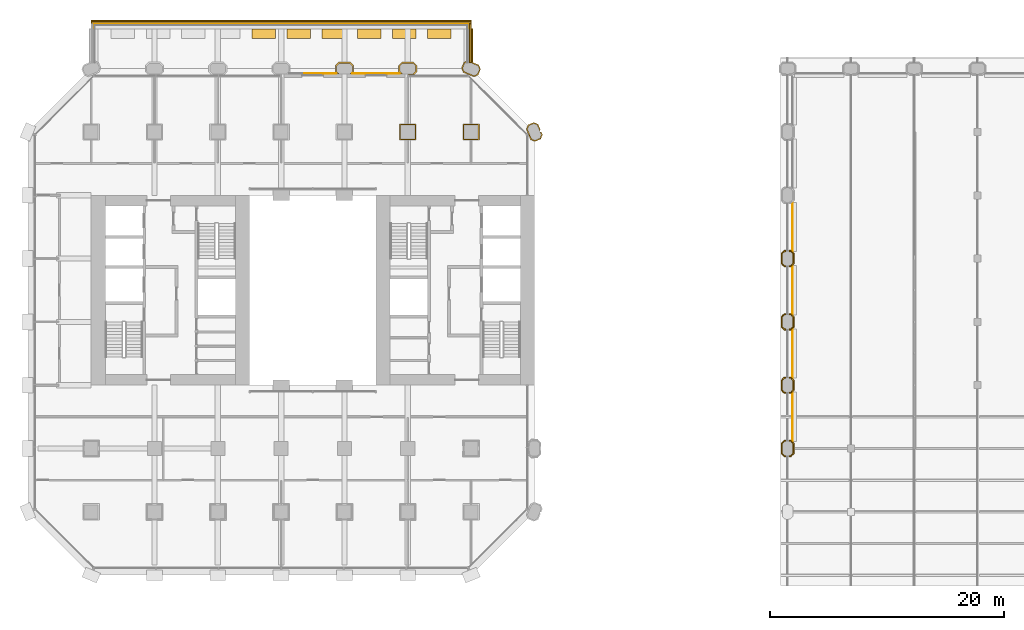
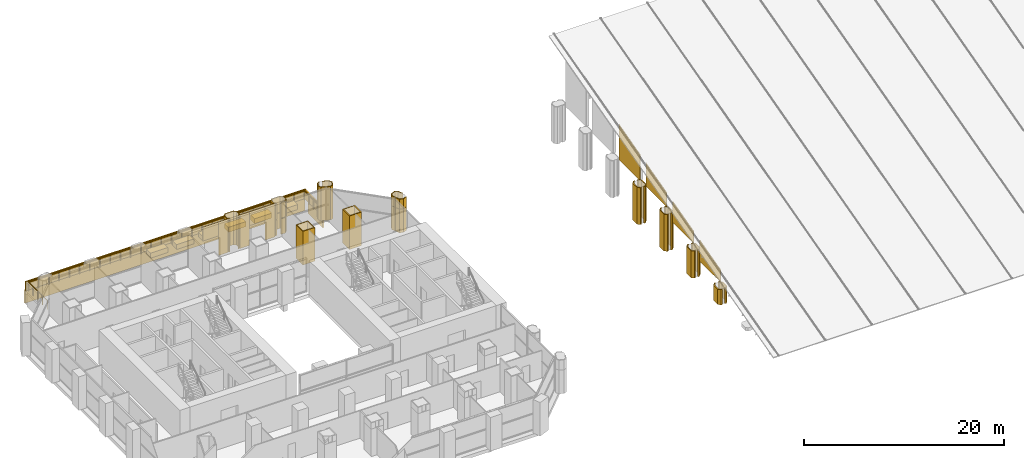
# One storey, part 21 of 23: 35 coverings, 1 railing.
"""IFC4 building model written with IfcOpenShell, lengths in metres."""

from ifc_helpers import new_model, si_unit, direction, frame, frame_2d, origin, origin_2d, place, context, subcontext, project, spatial, polyline, rectangle, circle, outline, extrude, material, layer, layer_set, type_object, element, save


model = new_model("IFC4")

# Units and contexts
model_context = context("Model", 3, precision=1e-05, world=origin(), true_north=direction((0.0, 1.0)))
body_context = subcontext(model_context, "Body", "Model", "MODEL_VIEW")
ifc_project = project(units=[si_unit("LENGTHUNIT", "METRE"), si_unit("AREAUNIT", "SQUARE_METRE"), si_unit("VOLUMEUNIT", "CUBIC_METRE"), si_unit("PLANEANGLEUNIT", "RADIAN"), si_unit("MASSUNIT", "GRAM", prefix="KILO")], contexts=[model_context])

# Site, building, storey
site_placement = place(None, origin())
site = spatial("IfcSite", under=ifc_project, at=site_placement, CompositionType="ELEMENT")
building_placement = place(site_placement, origin())
building = spatial("IfcBuilding", under=site, at=building_placement, Name="Tabaq Tower and Sports Hall", CompositionType="ELEMENT")
storey_placement = place(building_placement, frame((0.0, 0.0, 24.60009765625)))
storey = spatial("IfcBuildingStorey", under=building, at=storey_placement, Name="L04", CompositionType="ELEMENT", Elevation=24.60009765625)

# Coverings
ifc_material_1 = material(Name="Precast concrete C60/75", Category="concrete")
ifc_layer_1 = layer(ifc_material_1, 0.10009765625)
ifc_layer_set_1 = layer_set([ifc_layer_1], Name="Column cladding 100")
covering_type_1 = type_object("IfcCoveringType", Name="Column cladding 100", PredefinedType="CLADDING", material=ifc_layer_set_1)
covering_1_placement = place(storey_placement, origin())
element("IfcCovering", 1, at=covering_1_placement, inside=storey, type_object=covering_type_1, Name="Column cladding L04 HC-13C", PredefinedType="CLADDING", context=body_context, shape_type="SweptSolid", body=[
    extrude(outline(polyline([(64.5087890625, 10.100341796875), (64.250244140625, 10.358642578125), (64.250244140625, 11.2412109375), (64.5087890625, 11.499755859375), (64.64697265625, 11.499755859375), (64.64697265625, 11.400390625), (64.5498046875, 11.400390625), (64.349609375, 11.2001953125), (64.349609375, 10.39990234375), (64.5498046875, 10.19970703125), (64.64697265625, 10.19970703125), (64.64697265625, 10.100341796875), (64.5087890625, 10.100341796875)])), origin(), (0.0, 0.0, 1.0), 1.855224609375),
])
covering_2_placement = place(storey_placement, origin())
element("IfcCovering", 2, at=covering_2_placement, inside=storey, type_object=covering_type_1, Name="Column cladding L04 HC-13C 2", PredefinedType="CLADDING", context=body_context, shape_type="SweptSolid", body=[
    extrude(outline(polyline([(64.952880859375, 10.100341796875), (64.952880859375, 10.19970703125), (65.050048828125, 10.19970703125), (65.250244140625, 10.39990234375), (65.250244140625, 11.2001953125), (65.050048828125, 11.400390625), (64.952880859375, 11.400390625), (64.952880859375, 11.499755859375), (65.09130859375, 11.499755859375), (65.349609375, 11.2412109375), (65.349609375, 10.358642578125), (65.09130859375, 10.100341796875), (64.952880859375, 10.100341796875)])), origin(), (0.0, 0.0, 1.0), 1.855224609375),
])
covering_3_placement = place(storey_placement, origin())
element("IfcCovering", 3, at=covering_3_placement, inside=storey, type_object=covering_type_1, Name="Column cladding L04 HC-13D", PredefinedType="CLADDING", context=body_context, shape_type="SweptSolid", body=[
    extrude(outline(polyline([(64.5087890625, 15.500244140625), (64.250244140625, 15.7587890625), (64.250244140625, 16.641357421875), (64.5087890625, 16.899658203125), (64.64697265625, 16.899658203125), (64.64697265625, 16.80029296875), (64.5498046875, 16.80029296875), (64.349609375, 16.60009765625), (64.349609375, 15.7998046875), (64.5498046875, 15.599609375), (64.64697265625, 15.599609375), (64.64697265625, 15.500244140625), (64.5087890625, 15.500244140625)])), origin(), (0.0, 0.0, 1.0), 3.302001953125),
])
covering_4_placement = place(storey_placement, origin())
element("IfcCovering", 4, at=covering_4_placement, inside=storey, type_object=covering_type_1, Name="Column cladding L04 HC-13D 2", PredefinedType="CLADDING", context=body_context, shape_type="SweptSolid", body=[
    extrude(outline(polyline([(64.952880859375, 15.500244140625), (64.952880859375, 15.599609375), (65.050048828125, 15.599609375), (65.250244140625, 15.7998046875), (65.250244140625, 16.60009765625), (65.050048828125, 16.80029296875), (64.952880859375, 16.80029296875), (64.952880859375, 16.899658203125), (65.09130859375, 16.899658203125), (65.349609375, 16.641357421875), (65.349609375, 15.7587890625), (65.09130859375, 15.500244140625), (64.952880859375, 15.500244140625)])), origin(), (0.0, 0.0, 1.0), 3.302001953125),
])
covering_5_placement = place(storey_placement, origin())
element("IfcCovering", 5, at=covering_5_placement, inside=storey, type_object=covering_type_1, Name="Column cladding L04 HC-13E", PredefinedType="CLADDING", context=body_context, shape_type="SweptSolid", body=[
    extrude(outline(polyline([(64.5087890625, 20.900390625), (64.250244140625, 21.15869140625), (64.250244140625, 22.041259765625), (64.5087890625, 22.2998046875), (64.64697265625, 22.2998046875), (64.64697265625, 22.2001953125), (64.5498046875, 22.2001953125), (64.349609375, 22.000244140625), (64.349609375, 21.199951171875), (64.5498046875, 20.999755859375), (64.64697265625, 20.999755859375), (64.64697265625, 20.900390625), (64.5087890625, 20.900390625)])), origin(), (0.0, 0.0, 1.0), 4.5),
])
covering_6_placement = place(storey_placement, origin())
element("IfcCovering", 6, at=covering_6_placement, inside=storey, type_object=covering_type_1, Name="Column cladding L04 HC-13E 2", PredefinedType="CLADDING", context=body_context, shape_type="SweptSolid", body=[
    extrude(outline(polyline([(64.952880859375, 20.900390625), (64.952880859375, 20.999755859375), (65.050048828125, 20.999755859375), (65.250244140625, 21.199951171875), (65.250244140625, 22.000244140625), (65.050048828125, 22.2001953125), (64.952880859375, 22.2001953125), (64.952880859375, 22.2998046875), (65.09130859375, 22.2998046875), (65.349609375, 22.041259765625), (65.349609375, 21.15869140625), (65.09130859375, 20.900390625), (64.952880859375, 20.900390625)])), origin(), (0.0, 0.0, 1.0), 4.5),
])
covering_7_placement = place(storey_placement, origin())
element("IfcCovering", 7, at=covering_7_placement, inside=storey, type_object=covering_type_1, Name="Column cladding L04 HC-13F", PredefinedType="CLADDING", context=body_context, shape_type="SweptSolid", body=[
    extrude(outline(polyline([(64.952880859375, 26.30029296875), (64.952880859375, 26.399658203125), (65.050048828125, 26.399658203125), (65.250244140625, 26.599853515625), (65.250244140625, 27.400146484375), (65.050048828125, 27.600341796875), (64.952880859375, 27.600341796875), (64.952880859375, 27.69970703125), (65.09130859375, 27.69970703125), (65.349609375, 27.44140625), (65.349609375, 26.55859375), (65.09130859375, 26.30029296875), (64.952880859375, 26.30029296875)])), origin(), (0.0, 0.0, 1.0), 4.5),
])
covering_8_placement = place(storey_placement, origin())
element("IfcCovering", 8, at=covering_8_placement, inside=storey, type_object=covering_type_1, Name="Column cladding L04 HC-13F 2", PredefinedType="CLADDING", context=body_context, shape_type="SweptSolid", body=[
    extrude(outline(polyline([(64.5087890625, 26.30029296875), (64.250244140625, 26.55859375), (64.250244140625, 27.44140625), (64.5087890625, 27.69970703125), (64.64697265625, 27.69970703125), (64.64697265625, 27.600341796875), (64.5498046875, 27.600341796875), (64.349609375, 27.400146484375), (64.349609375, 26.599853515625), (64.5498046875, 26.399658203125), (64.64697265625, 26.399658203125), (64.64697265625, 26.30029296875), (64.5087890625, 26.30029296875)])), origin(), (0.0, 0.0, 1.0), 4.5),
])
covering_9_placement = place(storey_placement, origin())
element("IfcCovering", 9, at=covering_9_placement, inside=storey, type_object=covering_type_1, Name="Column cladding L04 PC-6I-P", PredefinedType="CLADDING", context=body_context, shape_type="SweptSolid", body=[
    extrude(outline(polyline([(26.225341796875, 43.46630859375), (26.5087890625, 43.749755859375), (27.4912109375, 43.749755859375), (27.774658203125, 43.46630859375), (27.774658203125, 42.93359375), (27.59130859375, 42.750244140625), (27.45068359375, 42.750244140625), (27.67529296875, 42.974853515625), (27.67529296875, 43.425048828125), (27.4501953125, 43.650390625), (26.5498046875, 43.650390625), (26.32470703125, 43.425048828125), (26.32470703125, 42.974853515625), (26.54931640625, 42.750244140625), (26.40869140625, 42.750244140625), (26.225341796875, 42.93359375), (26.225341796875, 43.46630859375)])), origin(), (0.0, 0.0, 1.0), 4.099853515625),
])
covering_10_placement = place(storey_placement, origin())
element("IfcCovering", 10, at=covering_10_placement, inside=storey, type_object=covering_type_1, Name="Column cladding L04 CC-7H-P", PredefinedType="CLADDING", context=body_context, shape_type="SweptSolid", body=[
    extrude(outline(polyline([(31.7001953125, 38.499755859375), (33.099609375, 38.499755859375), (33.099609375, 37.100341796875), (31.7001953125, 37.100341796875), (31.7001953125, 38.499755859375)]), holes=[polyline([(33.000244140625, 37.19970703125), (33.000244140625, 38.400390625), (31.7998046875, 38.400390625), (31.7998046875, 37.19970703125), (33.000244140625, 37.19970703125)])]), origin(), (0.0, 0.0, 1.0), 4.099853515625),
])
covering_11_placement = place(storey_placement, frame((0.0, 0.0, 0.102294921875)))
element("IfcCovering", 11, at=covering_11_placement, inside=storey, type_object=covering_type_1, Name="Column cladding L04 PC-7I-P", PredefinedType="CLADDING", context=body_context, shape_type="SweptSolid", body=[
    extrude(outline(polyline([(31.625244140625, 43.46630859375), (31.90869140625, 43.749755859375), (32.891357421875, 43.749755859375), (33.1748046875, 43.46630859375), (33.1748046875, 42.93359375), (32.931396484375, 42.690185546875), (32.400390625, 42.690185546875), (32.400390625, 42.749755859375), (32.85009765625, 42.749755859375), (33.0751953125, 42.974853515625), (33.0751953125, 43.425048828125), (32.85009765625, 43.650390625), (31.949951171875, 43.650390625), (31.724609375, 43.425048828125), (31.724609375, 42.974853515625), (31.94921875, 42.750244140625), (31.80859375, 42.750244140625), (31.625244140625, 42.93359375), (31.625244140625, 43.46630859375)])), origin(), (0.0, 0.0, 1.0), 1.9150390625),
])
covering_12_placement = place(storey_placement, frame((0.0, 0.0, 2.08251953125)))
element("IfcCovering", 12, at=covering_12_placement, inside=storey, type_object=covering_type_1, Name="Column cladding L04 PC-7I-P 2", PredefinedType="CLADDING", context=body_context, shape_type="SweptSolid", body=[
    extrude(outline(polyline([(31.625244140625, 43.46630859375), (31.90869140625, 43.749755859375), (32.891357421875, 43.749755859375), (33.1748046875, 43.46630859375), (33.1748046875, 42.93359375), (32.931396484375, 42.690185546875), (32.400390625, 42.690185546875), (32.400390625, 42.749755859375), (32.85009765625, 42.749755859375), (33.0751953125, 42.974853515625), (33.0751953125, 43.425048828125), (32.85009765625, 43.650390625), (31.949951171875, 43.650390625), (31.724609375, 43.425048828125), (31.724609375, 42.974853515625), (31.94921875, 42.750244140625), (31.80859375, 42.750244140625), (31.625244140625, 42.93359375), (31.625244140625, 43.46630859375)])), origin(), (0.0, 0.0, 1.0), 1.914794921875),
])
covering_13_placement = place(storey_placement, origin())
element("IfcCovering", 13, at=covering_13_placement, inside=storey, type_object=covering_type_1, Name="Column cladding L04 CC-8H-P", PredefinedType="CLADDING", context=body_context, shape_type="SweptSolid", body=[
    extrude(outline(polyline([(37.100341796875, 38.499755859375), (38.499755859375, 38.499755859375), (38.499755859375, 37.100341796875), (37.100341796875, 37.100341796875), (37.100341796875, 38.499755859375)]), holes=[polyline([(38.400390625, 37.19970703125), (38.400390625, 38.400390625), (37.19970703125, 38.400390625), (37.19970703125, 37.19970703125), (38.400390625, 37.19970703125)])]), origin(), (0.0, 0.0, 1.0), 4.099853515625),
])
covering_14_placement = place(storey_placement, origin())
element("IfcCovering", 14, at=covering_14_placement, inside=storey, type_object=covering_type_1, Name="Column cladding L04 PC-8I-P", PredefinedType="CLADDING", context=body_context, shape_type="SweptSolid", body=[
    extrude(outline(polyline([(38.413818359375, 42.657470703125), (38.04345703125, 42.504150390625), (37.614013671875, 42.68212890625), (37.614013671875, 42.690185546875), (37.593994140625, 42.690185546875), (37.1357421875, 42.880126953125), (36.982421875, 43.25048828125), (37.186279296875, 43.742431640625), (37.48974609375, 43.8681640625), (37.48974609375, 43.7607421875), (37.26220703125, 43.66650390625), (37.08984375, 43.25048828125), (37.2119140625, 42.956298828125), (38.04345703125, 42.61181640625), (38.337646484375, 42.733642578125), (38.510009765625, 43.149658203125), (38.38818359375, 43.44384765625), (37.770263671875, 43.69970703125), (37.80029296875, 43.69970703125), (37.80029296875, 43.794921875), (38.46435546875, 43.519775390625), (38.61767578125, 43.149658203125), (38.413818359375, 42.657470703125)])), origin(), (0.0, 0.0, 1.0), 4.099853515625),
])
covering_15_placement = place(storey_placement, origin())
element("IfcCovering", 15, at=covering_15_placement, inside=storey, type_object=covering_type_1, Name="Column cladding L04 PC-9H-P", PredefinedType="CLADDING", context=body_context, shape_type="SweptSolid", body=[
    extrude(outline(polyline([(43.25048828125, 36.982421875), (42.880126953125, 37.1357421875), (42.690185546875, 37.593994140625), (42.690185546875, 37.614013671875), (42.68212890625, 37.614013671875), (42.504150390625, 38.04345703125), (42.657470703125, 38.413818359375), (43.149658203125, 38.61767578125), (43.519775390625, 38.46435546875), (43.732177734375, 37.95166015625), (43.69677734375, 37.9501953125), (43.696533203125, 37.9501953125), (43.696533203125, 37.7998046875), (43.795166015625, 37.7998046875), (43.895751953125, 37.556396484375), (43.742431640625, 37.186279296875), (43.25048828125, 36.982421875)]), holes=[polyline([(43.149658203125, 38.510009765625), (42.733642578125, 38.337646484375), (42.61181640625, 38.04345703125), (42.956298828125, 37.2119140625), (43.25048828125, 37.08984375), (43.66650390625, 37.26220703125), (43.788330078125, 37.556396484375), (43.44384765625, 38.38818359375), (43.149658203125, 38.510009765625)])]), origin(), (0.0, 0.0, 1.0), 2.89990234375),
])
covering_16_placement = place(storey_placement, frame((0.0, 0.0, 2.89990234375)))
element("IfcCovering", 16, at=covering_16_placement, inside=storey, type_object=covering_type_1, Name="Column cladding L04 PC-9H-P head", PredefinedType="CLADDING", context=body_context, shape_type="SweptSolid", body=[
    extrude(outline(polyline([(42.880126953125, 37.1357421875), (42.690185546875, 37.593994140625), (42.690185546875, 37.614013671875), (42.68212890625, 37.614013671875), (42.504150390625, 38.04345703125), (42.657470703125, 38.413818359375), (43.149658203125, 38.61767578125), (43.519775390625, 38.46435546875), (43.732177734375, 37.95166015625), (43.69677734375, 37.9501953125), (43.696533203125, 37.9501953125), (43.696533203125, 37.80029296875), (43.687255859375, 37.80029296875), (43.44384765625, 38.38818359375), (43.149658203125, 38.510009765625), (42.733642578125, 38.337646484375), (42.61181640625, 38.04345703125), (42.956298828125, 37.2119140625), (43.25048828125, 37.08984375), (43.649658203125, 37.25537109375), (43.649658203125, 37.19970703125), (43.748046875, 37.19970703125), (43.742431640625, 37.186279296875), (43.25048828125, 36.982421875), (42.880126953125, 37.1357421875)])), origin(), (0.0, 0.0, 1.0), 1.199951171875),
])

# Railing
ifc_material_2 = material(Name="Stainless steel S316 and laminated glass", Category="steel")
railing_type = type_object("IfcRailingType", Name="Guard 1100 steel and glass", PredefinedType="GUARDRAIL", material=ifc_material_2)
railing_placement = place(storey_placement, frame((37.550048828125, 43.199951171875, 0.0)))
element("IfcRailing", 17, at=railing_placement, inside=storey, type_object=railing_type, Name="Tray guard L04", PredefinedType="GUARDRAIL", context=body_context, shape_type="SweptSolid", body=[
    extrude(circle(Radius=0.02490234375, at=origin_2d()), frame((0.0, 0.0, 1.0751953125), z_axis=(0.0, 1.0, 0.0), x_axis=(-1.0, 0.0, 0.0)), (0.0, 0.0, 1.0), 3.75),
    extrude(circle(Radius=0.02490234375, at=origin_2d()), frame((0.0, 3.75, 1.0751953125), z_axis=(-1.0, 0.0, 0.0), x_axis=(0.0, -1.0, 0.0)), (0.0, 0.0, 1.0), 31.900146484375),
    extrude(circle(Radius=0.02490234375, at=origin_2d()), frame((-31.900146484375, 3.75, 1.0751953125), z_axis=(0.0, -1.0, 0.0), x_axis=(1.0, 0.0, 0.0)), (0.0, 0.0, 1.0), 3.75),
    extrude(circle(Radius=0.02001953125, at=origin_2d()), origin(), (0.0, 0.0, 1.0), 1.050048828125),
    extrude(circle(Radius=0.02001953125, at=origin_2d()), frame((0.0, 0.9375, 0.0)), (0.0, 0.0, 1.0), 1.050048828125),
    extrude(circle(Radius=0.02001953125, at=origin_2d()), frame((0.0, 1.875, 0.0)), (0.0, 0.0, 1.0), 1.050048828125),
    extrude(circle(Radius=0.02001953125, at=origin_2d()), frame((0.0, 2.8125, 0.0)), (0.0, 0.0, 1.0), 1.050048828125),
    extrude(circle(Radius=0.02001953125, at=origin_2d()), frame((0.0, 3.75, 0.0)), (0.0, 0.0, 1.0), 1.050048828125),
    extrude(circle(Radius=0.02001953125, at=origin_2d()), frame((-1.181396484375, 3.75, 0.0)), (0.0, 0.0, 1.0), 1.050048828125),
    extrude(circle(Radius=0.02001953125, at=origin_2d()), frame((-2.363037109375, 3.75, 0.0)), (0.0, 0.0, 1.0), 1.050048828125),
    extrude(circle(Radius=0.02001953125, at=origin_2d()), frame((-3.54443359375, 3.75, 0.0)), (0.0, 0.0, 1.0), 1.050048828125),
    extrude(circle(Radius=0.02001953125, at=origin_2d()), frame((-4.725830078125, 3.75, 0.0)), (0.0, 0.0, 1.0), 1.050048828125),
    extrude(circle(Radius=0.02001953125, at=origin_2d()), frame((-5.907470703125, 3.75, 0.0)), (0.0, 0.0, 1.0), 1.050048828125),
    extrude(circle(Radius=0.02001953125, at=origin_2d()), frame((-7.0888671875, 3.75, 0.0)), (0.0, 0.0, 1.0), 1.050048828125),
    extrude(circle(Radius=0.02001953125, at=origin_2d()), frame((-8.2705078125, 3.75, 0.0)), (0.0, 0.0, 1.0), 1.050048828125),
    extrude(circle(Radius=0.02001953125, at=origin_2d()), frame((-9.451904296875, 3.75, 0.0)), (0.0, 0.0, 1.0), 1.050048828125),
    extrude(circle(Radius=0.02001953125, at=origin_2d()), frame((-10.63330078125, 3.75, 0.0)), (0.0, 0.0, 1.0), 1.050048828125),
    extrude(circle(Radius=0.02001953125, at=origin_2d()), frame((-11.81494140625, 3.75, 0.0)), (0.0, 0.0, 1.0), 1.050048828125),
    extrude(circle(Radius=0.02001953125, at=origin_2d()), frame((-12.996337890625, 3.75, 0.0)), (0.0, 0.0, 1.0), 1.050048828125),
    extrude(circle(Radius=0.02001953125, at=origin_2d()), frame((-14.177734375, 3.75, 0.0)), (0.0, 0.0, 1.0), 1.050048828125),
    extrude(circle(Radius=0.02001953125, at=origin_2d()), frame((-15.359375, 3.75, 0.0)), (0.0, 0.0, 1.0), 1.050048828125),
    extrude(circle(Radius=0.02001953125, at=origin_2d()), frame((-16.540771484375, 3.75, 0.0)), (0.0, 0.0, 1.0), 1.050048828125),
    extrude(circle(Radius=0.02001953125, at=origin_2d()), frame((-17.722412109375, 3.75, 0.0)), (0.0, 0.0, 1.0), 1.050048828125),
    extrude(circle(Radius=0.02001953125, at=origin_2d()), frame((-18.90380859375, 3.75, 0.0)), (0.0, 0.0, 1.0), 1.050048828125),
    extrude(circle(Radius=0.02001953125, at=origin_2d()), frame((-20.085205078125, 3.75, 0.0)), (0.0, 0.0, 1.0), 1.050048828125),
    extrude(circle(Radius=0.02001953125, at=origin_2d()), frame((-21.266845703125, 3.75, 0.0)), (0.0, 0.0, 1.0), 1.050048828125),
    extrude(circle(Radius=0.02001953125, at=origin_2d()), frame((-22.4482421875, 3.75, 0.0)), (0.0, 0.0, 1.0), 1.050048828125),
    extrude(circle(Radius=0.02001953125, at=origin_2d()), frame((-23.629638671875, 3.75, 0.0)), (0.0, 0.0, 1.0), 1.050048828125),
    extrude(circle(Radius=0.02001953125, at=origin_2d()), frame((-24.811279296875, 3.75, 0.0)), (0.0, 0.0, 1.0), 1.050048828125),
    extrude(circle(Radius=0.02001953125, at=origin_2d()), frame((-25.99267578125, 3.75, 0.0)), (0.0, 0.0, 1.0), 1.050048828125),
    extrude(circle(Radius=0.02001953125, at=origin_2d()), frame((-27.17431640625, 3.75, 0.0)), (0.0, 0.0, 1.0), 1.050048828125),
    extrude(circle(Radius=0.02001953125, at=origin_2d()), frame((-28.355712890625, 3.75, 0.0)), (0.0, 0.0, 1.0), 1.050048828125),
    extrude(circle(Radius=0.02001953125, at=origin_2d()), frame((-29.537109375, 3.75, 0.0)), (0.0, 0.0, 1.0), 1.050048828125),
    extrude(circle(Radius=0.02001953125, at=origin_2d()), frame((-30.71875, 3.75, 0.0)), (0.0, 0.0, 1.0), 1.050048828125),
    extrude(circle(Radius=0.02001953125, at=origin_2d()), frame((-31.900146484375, 3.75, 0.0)), (0.0, 0.0, 1.0), 1.050048828125),
    extrude(circle(Radius=0.02001953125, at=origin_2d()), frame((-31.900146484375, 2.8125, 0.0)), (0.0, 0.0, 1.0), 1.050048828125),
    extrude(circle(Radius=0.02001953125, at=origin_2d()), frame((-31.900146484375, 1.875, 0.0)), (0.0, 0.0, 1.0), 1.050048828125),
    extrude(circle(Radius=0.02001953125, at=origin_2d()), frame((-31.900146484375, 0.9375, 0.0)), (0.0, 0.0, 1.0), 1.050048828125),
    extrude(circle(Radius=0.02001953125, at=origin_2d()), frame((-31.900146484375, 0.0, 0.0)), (0.0, 0.0, 1.0), 1.050048828125),
])

# Coverings
ifc_material_3 = material(Name="Planting soil and drainage layer")
covering_type_2 = type_object("IfcCoveringType", Name="Planter 2000x800x600", PredefinedType="USERDEFINED", material=ifc_material_3)
for number, where, z_axis, x_axis, name in (
    (18, (35.10009765625, 46.169921875, -0.000244140625), (0.0, 0.0, 1.0), (-1.0, 0.0, 0.0), "Planter L04"),
    (19, (32.10009765625, 46.169921875, -0.000244140625), (0.0, 0.0, 1.0), (-1.0, 0.0, 0.0), "Planter L04"),
    (20, (29.10009765625, 46.169921875, -0.000244140625), (0.0, 0.0, 1.0), (-1.0, 0.0, 0.0), "Planter L04"),
    (21, (26.10009765625, 46.169921875, -0.000244140625), (0.0, 0.0, 1.0), (-1.0, 0.0, 0.0), "Planter L04"),
    (22, (23.10009765625, 46.169921875, -0.000244140625), (0.0, 0.0, 1.0), (-1.0, 0.0, 0.0), "Planter L04"),
    (23, (20.10009765625, 46.169921875, -0.000244140625), (0.0, 0.0, 1.0), (-1.0, 0.0, 0.0), "Planter L04"),
):
    element("IfcCovering", number, at=place(storey_placement, frame(where, z_axis=z_axis, x_axis=x_axis)), inside=storey, type_object=covering_type_2, Name=name, ObjectType="PLANTER", PredefinedType="USERDEFINED", context=body_context, shape_type="SweptSolid", body=[
        extrude(rectangle(XDim=2.0, YDim=0.800048828125, at=origin_2d()), origin(), (0.0, 0.0, 1.0), 0.60009765625),
    ])
ifc_material_4 = material(Name="Precast concrete C60/75", Category="concrete")
ifc_layer_2 = layer(ifc_material_4, 0.14990234375)
ifc_layer_set_2 = layer_set([ifc_layer_2], Name="Tray fascia 1200")
covering_type_3 = type_object("IfcCoveringType", Name="Tray fascia 1200", PredefinedType="CLADDING", material=ifc_layer_set_2)
covering_17_placement = place(storey_placement, frame((37.875, 43.69677734375, -1.60009765625), z_axis=(0.0, 0.0, 1.0), x_axis=(0.0, 1.0, 0.0)))
element("IfcCovering", 24, at=covering_17_placement, inside=storey, type_object=covering_type_3, Name="Tray fascia L04 EBT", PredefinedType="CLADDING", context=body_context, shape_type="SweptSolid", body=[
    extrude(rectangle(XDim=2.9033203125, YDim=0.14990234375, at=frame_2d((1.45166015625, 0.0))), origin(), (0.0, 0.0, 1.0), 1.60009765625),
])
covering_18_placement = place(storey_placement, frame((37.800048828125, 47.27490234375, -1.60009765625), z_axis=(0.0, 0.0, 1.0), x_axis=(-1.0, 0.0, 0.0)))
element("IfcCovering", 25, at=covering_18_placement, inside=storey, type_object=covering_type_3, Name="Tray fascia L04 EBT", PredefinedType="CLADDING", context=body_context, shape_type="SweptSolid", body=[
    extrude(rectangle(XDim=32.400146484375, YDim=0.14990234375, at=frame_2d((16.2001953125, 0.0))), origin(), (0.0, 0.0, 1.0), 1.60009765625),
])
ifc_material_5 = material(Name="Precast concrete C60/75", Category="concrete")
ifc_layer_3 = layer(ifc_material_5, 0.14990234375)
ifc_layer_set_3 = layer_set([ifc_layer_3], Name="Tray upstand cladding 1100")
covering_type_4 = type_object("IfcCoveringType", Name="Tray upstand cladding 1100", PredefinedType="CLADDING", material=ifc_layer_set_3)
covering_19_placement = place(storey_placement, frame((37.800048828125, 47.125, 0.0), z_axis=(0.0, 0.0, 1.0), x_axis=(-1.0, 0.0, 0.0)))
element("IfcCovering", 26, at=covering_19_placement, inside=storey, type_object=covering_type_4, Name="Tray upstand cladding L04", PredefinedType="CLADDING", context=body_context, shape_type="SweptSolid", body=[
    extrude(rectangle(XDim=32.400146484375, YDim=0.14990234375, at=frame_2d((16.2001953125, 0.0))), origin(), (0.0, 0.0, 1.0), 1.099853515625),
])
covering_20_placement = place(storey_placement, frame((37.72509765625, 43.699951171875, 0.0), z_axis=(0.0, 0.0, 1.0), x_axis=(0.0, 1.0, 0.0)))
element("IfcCovering", 27, at=covering_20_placement, inside=storey, type_object=covering_type_4, Name="Tray upstand cladding L04", PredefinedType="CLADDING", context=body_context, shape_type="SweptSolid", body=[
    extrude(rectangle(XDim=3.35009765625, YDim=0.14990234375, at=frame_2d((1.675048828125, 0.0))), origin(), (0.0, 0.0, 1.0), 1.099853515625),
])
ifc_material_6 = material(Name="Precast concrete C60/75", Category="concrete")
ifc_layer_4 = layer(ifc_material_6, 0.06005859375)
ifc_layer_set_4 = layer_set([ifc_layer_4], Name="White precast cladding panel 60 C60/75")
covering_type_5 = type_object("IfcCoveringType", Name="White precast cladding panel 60 C60/75", PredefinedType="CLADDING", material=ifc_layer_set_4)
covering_21_placement = place(storey_placement, frame((31.715087890625, 42.780029296875, 0.0), z_axis=(0.0, 0.0, 1.0), x_axis=(-1.0, 0.0, 0.0)))
element("IfcCovering", 28, at=covering_21_placement, inside=storey, type_object=covering_type_5, Name="White precast cladding panel L04 infill04-0-1", PredefinedType="CLADDING", context=body_context, shape_type="SweptSolid", body=[
    extrude(rectangle(XDim=1.10498046875, YDim=0.06005859375, at=frame_2d((0.552490234375, 0.0))), origin(), (0.0, 0.0, 1.0), 4.099853515625),
])
covering_22_placement = place(storey_placement, frame((30.610107421875, 42.780029296875, 2.409912109375), z_axis=(0.0, 0.0, 1.0), x_axis=(-1.0, 0.0, 0.0)))
element("IfcCovering", 29, at=covering_22_placement, inside=storey, type_object=covering_type_5, Name="White precast cladding panel L04 infill04-0-1 2", PredefinedType="CLADDING", context=body_context, shape_type="SweptSolid", body=[
    extrude(rectangle(XDim=1.820068359375, YDim=0.06005859375, at=frame_2d((0.91015625, 0.0))), origin(), (0.0, 0.0, 1.0), 1.68994140625),
])
for number, where, z_axis, x_axis, name in (
    (30, (28.7900390625, 42.780029296875, 0.0), (0.0, 0.0, 1.0), (-1.0, 0.0, 0.0), "White precast cladding panel L04 infill04-0-1 3"),
    (31, (26.31494140625, 42.780029296875, 0.0), (0.0, 0.0, 1.0), (-1.0, 0.0, 0.0), "White precast cladding panel L04 infill04-0-1 4"),
):
    element("IfcCovering", number, at=place(storey_placement, frame(where, z_axis=z_axis, x_axis=x_axis)), inside=storey, type_object=covering_type_5, Name=name, PredefinedType="CLADDING", context=body_context, shape_type="SweptSolid", body=[
        extrude(rectangle(XDim=1.10498046875, YDim=0.06005859375, at=frame_2d((0.552490234375, 0.0))), origin(), (0.0, 0.0, 1.0), 4.099853515625),
    ])
covering_23_placement = place(storey_placement, frame((25.2099609375, 42.780029296875, 2.409912109375), z_axis=(0.0, 0.0, 1.0), x_axis=(-1.0, 0.0, 0.0)))
element("IfcCovering", 32, at=covering_23_placement, inside=storey, type_object=covering_type_5, Name="White precast cladding panel L04 infill04-0-1 5", PredefinedType="CLADDING", context=body_context, shape_type="SweptSolid", body=[
    extrude(rectangle(XDim=1.820068359375, YDim=0.06005859375, at=frame_2d((0.91015625, 0.0))), origin(), (0.0, 0.0, 1.0), 1.68994140625),
])
covering_24_placement = place(storey_placement, frame((65.219970703125, 11.39990234375, 1.776611328125), z_axis=(0.0, 0.0, 1.0), x_axis=(0.0, 1.0, 0.0)))
element("IfcCovering", 33, at=covering_24_placement, inside=storey, type_object=covering_type_5, Name="White precast cladding panel L04 hi", PredefinedType="CLADDING", context=body_context, shape_type="SweptSolid", body=[
    extrude(outline(polyline([(0.0, 0.0), (4.2001953125, 0.0), (4.199951171875, 2.587646484375), (0.0, 1.46240234375), (0.0, 0.0)])), frame((0.0, 0.030029296875, 0.0), z_axis=(0.0, -1.0, 0.0), x_axis=(1.0, 0.0, 0.0)), (0.0, 0.0, 1.0), 0.06005859375),
])
covering_25_placement = place(storey_placement, frame((65.219970703125, 16.800048828125, 3.2236328125), z_axis=(0.0, 0.0, 1.0), x_axis=(0.0, 1.0, 0.0)))
element("IfcCovering", 34, at=covering_25_placement, inside=storey, type_object=covering_type_5, Name="White precast cladding panel L04 hi", PredefinedType="CLADDING", context=body_context, shape_type="SweptSolid", body=[
    extrude(outline(polyline([(0.0, 0.0), (4.199951171875, 0.0), (4.199951171875, 2.587646484375), (0.0, 1.462158203125), (0.0, 0.0)])), frame((0.0, 0.030029296875, 0.0), z_axis=(0.0, -1.0, 0.0), x_axis=(1.0, 0.0, 0.0)), (0.0, 0.0, 1.0), 0.06005859375),
])
covering_26_placement = place(storey_placement, frame((65.219970703125, 22.199951171875, 4.39990234375), z_axis=(0.0, 0.0, 1.0), x_axis=(0.0, 1.0, 0.0)))
element("IfcCovering", 35, at=covering_26_placement, inside=storey, type_object=covering_type_5, Name="White precast cladding panel L04 hi", PredefinedType="CLADDING", context=body_context, shape_type="SweptSolid", body=[
    extrude(outline(polyline([(0.0, 0.0), (4.199951171875, 0.0), (4.199951171875, 2.8583984375), (0.0, 1.73291015625), (0.0, 0.0)])), frame((0.0, 0.030029296875, 0.0), z_axis=(0.0, -1.0, 0.0), x_axis=(1.0, 0.0, 0.0)), (0.0, 0.0, 1.0), 0.06005859375),
])
covering_27_placement = place(storey_placement, frame((65.219970703125, 27.60009765625, 4.39990234375), z_axis=(0.0, 0.0, 1.0), x_axis=(0.0, 1.0, 0.0)))
element("IfcCovering", 36, at=covering_27_placement, inside=storey, type_object=covering_type_5, Name="White precast cladding panel L04 hi", PredefinedType="CLADDING", context=body_context, shape_type="SweptSolid", body=[
    extrude(outline(polyline([(0.0, 0.0), (4.199951171875, 0.0), (4.199951171875, 4.30517578125), (0.0, 3.179931640625), (0.0, 0.0)])), frame((0.0, 0.030029296875, 0.0), z_axis=(0.0, -1.0, 0.0), x_axis=(1.0, 0.0, 0.0)), (0.0, 0.0, 1.0), 0.06005859375),
])

save(model, "model.ifc")
